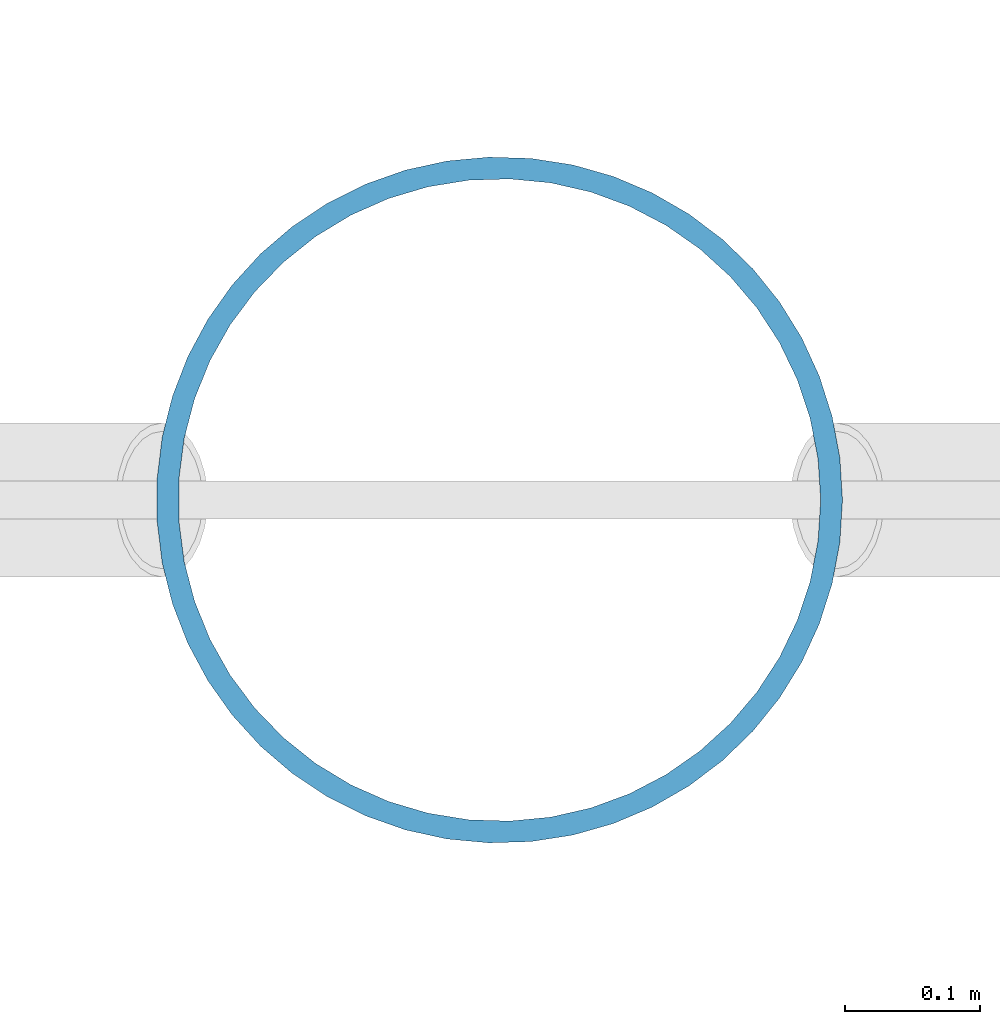
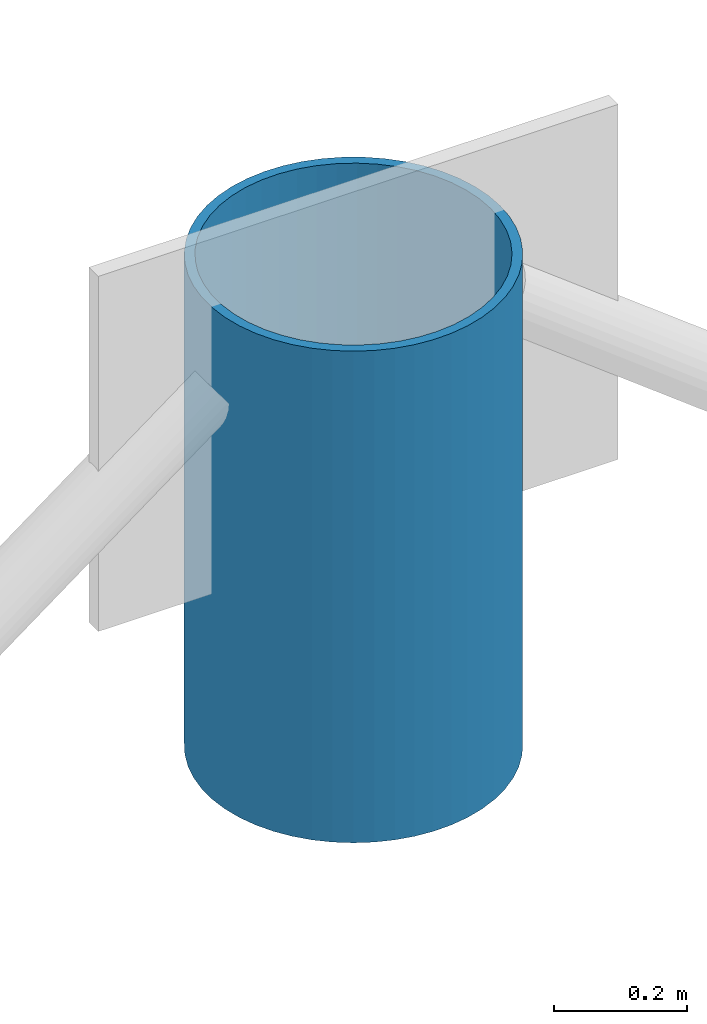
# One storey, part 2 of 71: 1 column.
"""IFC4 building model written with IfcOpenShell, lengths in metres."""

from ifc_helpers import new_model, si_unit, derived_unit, direction, frame, origin, origin_2d, place, context, subcontext, project, spatial, hollow_circle, extrude, material, material_profile, profile_set, type_object, element, save


model = new_model("IFC4")

# Units and contexts
model_context = context("Model", 3, precision=1e-05, world=origin(), true_north=direction((0.0, 1.0)))
body_context = subcontext(model_context, "Body", "Model", "MODEL_VIEW")
ifc_project = project(units=[si_unit("LENGTHUNIT", "METRE"), si_unit("AREAUNIT", "SQUARE_METRE"), si_unit("VOLUMEUNIT", "CUBIC_METRE"), si_unit("PLANEANGLEUNIT", "RADIAN"), si_unit("MASSUNIT", "GRAM", prefix="KILO"), derived_unit("THERMALTRANSMITTANCEUNIT", [(si_unit("MASSUNIT", "GRAM", prefix="KILO"), 1), (si_unit("TIMEUNIT", "SECOND"), -3), (si_unit("THERMODYNAMICTEMPERATUREUNIT", "KELVIN"), -1)])], contexts=[model_context])

# Site, building, storey
site_placement = place(None, origin())
site = spatial("IfcSite", under=ifc_project, at=site_placement, CompositionType="ELEMENT")
building_placement = place(site_placement, origin())
building = spatial("IfcBuilding", under=site, at=building_placement, Name="Zhenchuan Archway Interchange", CompositionType="ELEMENT")
storey_placement = place(building_placement, frame((0.0, 0.0, 18.60009765625)))
storey = spatial("IfcBuildingStorey", under=building, at=storey_placement, Name="L04", CompositionType="ELEMENT", Elevation=18.60009765625)

# Column
ifc_material = material(Name="Steel Q390", Category="steel")
ifc_material_profile = material_profile(ifc_material, hollow_circle(Radius=0.25390625, WallThickness=0.01611328125, at=origin_2d()), Name="CHS 508x16")
ifc_profile_set = profile_set([ifc_material_profile], Name="Steel Q390")
column_type = type_object("IfcColumnType", Name="COL_STL_CHS508", PredefinedType="COLUMN", material=ifc_profile_set)
column_placement = place(storey_placement, frame((18.0, 56.0, 0.0), z_axis=(0.0, 0.0, 1.0), x_axis=(1.0, 0.0, 0.0)))
element("IfcColumn", 1, at=column_placement, inside=storey, type_object=column_type, Name="Column 3/H (L04)", PredefinedType="COLUMN", context=body_context, shape_type="SweptSolid", body=[
    extrude(hollow_circle(Radius=0.25390625, WallThickness=0.01611328125, at=origin_2d()), origin(), (0.0, 0.0, 1.0), 0.89990234375),
])

save(model, "model.ifc")
